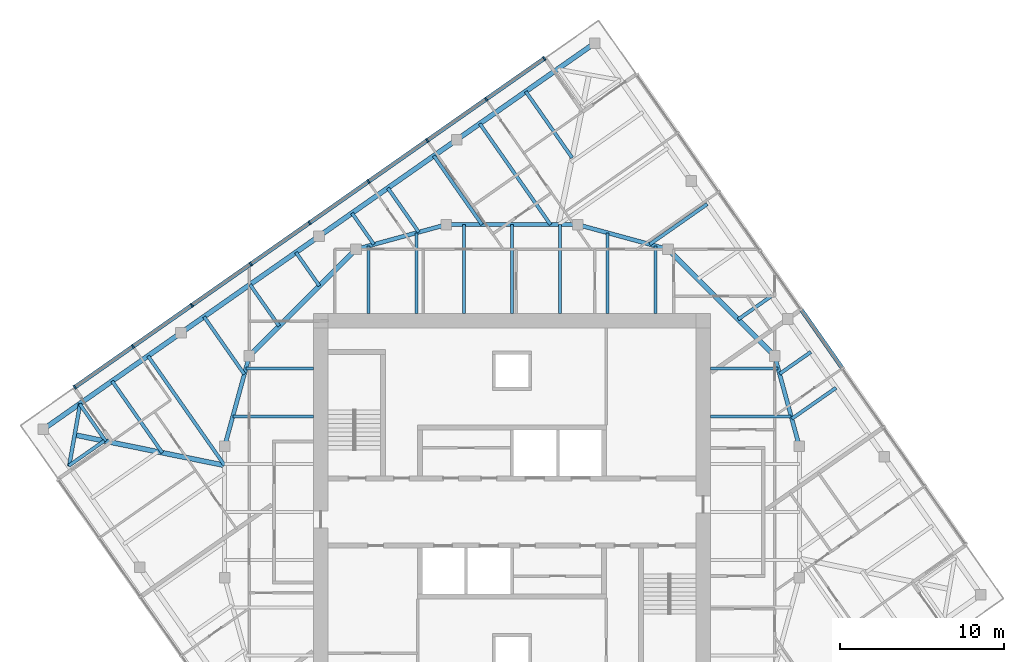
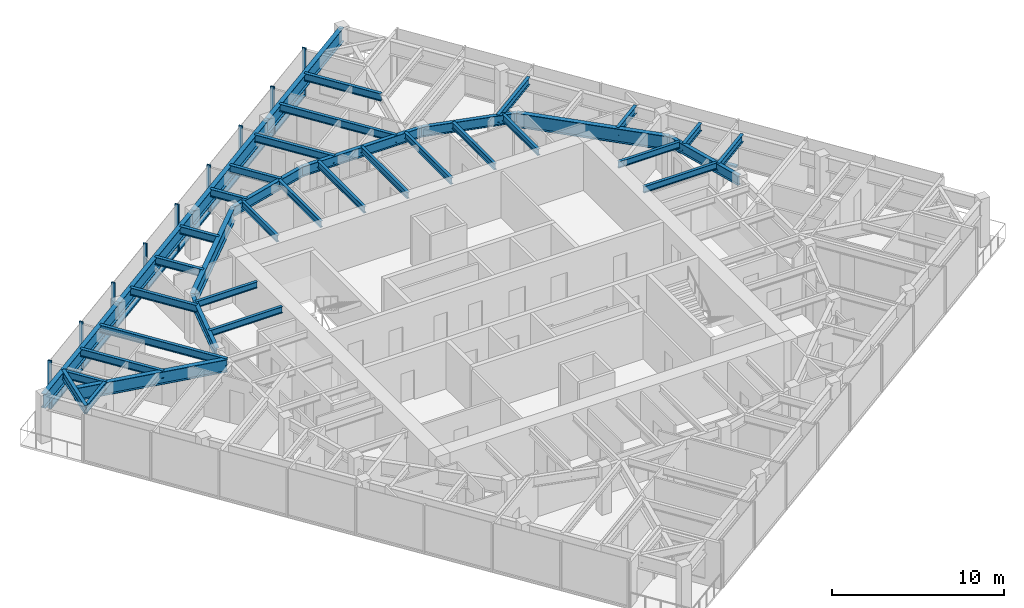
# One storey, part 4 of 12: 40 beams, 18 members, 2 elements without a shape of their own.
"""IFC4 building model written with IfcOpenShell, lengths in metres."""

from ifc_helpers import new_model, si_unit, direction, frame, origin, origin_2d, place, context, subcontext, project, spatial, rectangle, i_section, extrude, material, material_profile, profile_set, type_object, element, aggregate, save


model = new_model("IFC4")

# Units and contexts
model_context = context("Model", 3, precision=1e-05, world=origin(), true_north=direction((0.0, 1.0)))
body_context = subcontext(model_context, "Body", "Model", "MODEL_VIEW")
ifc_project = project(units=[si_unit("LENGTHUNIT", "METRE"), si_unit("AREAUNIT", "SQUARE_METRE"), si_unit("VOLUMEUNIT", "CUBIC_METRE"), si_unit("PLANEANGLEUNIT", "RADIAN"), si_unit("MASSUNIT", "GRAM", prefix="KILO")], contexts=[model_context])

# Site, building, storey
site_placement = place(None, origin())
site = spatial("IfcSite", under=ifc_project, at=site_placement, CompositionType="ELEMENT")
building_placement = place(site_placement, origin())
building = spatial("IfcBuilding", under=site, at=building_placement, Name="Torsade Residences", CompositionType="ELEMENT")
storey_placement = place(building_placement, frame((0.0, 0.0, 257.39990234375)))
storey = spatial("IfcBuildingStorey", under=building, at=storey_placement, Name="L71", CompositionType="ELEMENT", Elevation=257.39990234375)

# Beams
ifc_material_1 = material(Name="Steel grade 300", Category="steel")
ifc_material_profile_1 = material_profile(ifc_material_1, i_section(OverallWidth=0.300048828125, OverallDepth=0.89990234375, WebThickness=0.011962890625, FlangeThickness=0.02490234375, at=origin_2d()), Name="900WB175")
ifc_profile_set_1 = profile_set([ifc_material_profile_1], Name="Steel grade 300")
beam_type_1 = type_object("IfcBeamType", Name="CORNER GIRDER 900WB175", PredefinedType="BEAM", material=ifc_profile_set_1)
beam_1_placement = place(storey_placement, frame((13.364013671875, 34.696533203125, 2.800048828125), z_axis=(0.979880626756, -0.199584461589, 0.0), x_axis=(0.199584461589, 0.979880626756, 0.0)))
element("IfcBeam", 1, at=beam_1_placement, inside=storey, type_object=beam_type_1, Name="Corner girder 13 L72", PredefinedType="BEAM", context=body_context, shape_type="SweptSolid", body=[
    extrude(i_section(OverallWidth=0.300048828125, OverallDepth=0.89990234375, WebThickness=0.011962890625, FlangeThickness=0.02490234375, at=origin_2d()), origin(), (0.0, 0.0, 1.0), 9.323486328125),
])
ifc_material_2 = material(Name="Steel grade 300", Category="steel")
ifc_material_profile_2 = material_profile(ifc_material_2, i_section(OverallWidth=0.22802734375, OverallDepth=0.60205078125, WebThickness=0.010498046875, FlangeThickness=0.014892578125, FilletRadius=0.013916015625, at=origin_2d()), Name="610UB101")
ifc_profile_set_2 = profile_set([ifc_material_profile_2], Name="Steel grade 300")
beam_type_2 = type_object("IfcBeamType", Name="CORNER TRIMMER 610UB101", PredefinedType="BEAM", material=ifc_profile_set_2)
beam_2_placement = place(storey_placement, frame((13.0263671875, 32.78173828125, 2.94921875), z_axis=(0.173645660267, 0.984808196894, 0.0), x_axis=(-0.984808196894, 0.173645660267, 0.0)))
element("IfcBeam", 2, at=beam_2_placement, inside=storey, type_object=beam_type_2, Name="Corner trimmer 13 L72", PredefinedType="BEAM", context=body_context, shape_type="SweptSolid", body=[
    extrude(i_section(OverallWidth=0.22802734375, OverallDepth=0.60205078125, WebThickness=0.010498046875, FlangeThickness=0.014892578125, FilletRadius=0.013916015625, at=origin_2d()), origin(), (0.0, 0.0, 1.0), 3.888916015625),
])
ifc_material_3 = material(Name="Steel grade 300", Category="steel")
ifc_material_profile_3 = material_profile(ifc_material_3, i_section(OverallWidth=0.300048828125, OverallDepth=1.0, WebThickness=0.01611328125, FlangeThickness=0.028076171875, at=origin_2d()), Name="1000WB215")
ifc_profile_set_3 = profile_set([ifc_material_profile_3], Name="Steel grade 300")
beam_type_3 = type_object("IfcBeamType", Name="EDGE BEAM 1000WB215", PredefinedType="SPANDREL", material=ifc_profile_set_3)
for number, where, z_axis, x_axis, name in (
    (3, (45.0341796875, 58.551025390625, 2.75), (-0.819150225126, -0.573579034377, 0.0), (0.573579034377, -0.819150225126, 0.0), "Edge beam 09 L72"),
    (4, (36.637939453125, 52.671875, 2.75), (-0.819150225126, -0.573579034377, 0.0), (0.573579034377, -0.819150225126, 0.0), "Edge beam 10 L72"),
    (5, (28.24169921875, 46.792724609375, 2.75), (-0.819150225126, -0.573579034377, 0.0), (0.573579034377, -0.819150225126, 0.0), "Edge beam 11 L72"),
):
    element("IfcBeam", number, at=place(storey_placement, frame(where, z_axis=z_axis, x_axis=x_axis)), inside=storey, type_object=beam_type_3, Name=name, PredefinedType="SPANDREL", context=body_context, shape_type="SweptSolid", body=[
        extrude(i_section(OverallWidth=0.300048828125, OverallDepth=1.0, WebThickness=0.01611328125, FlangeThickness=0.028076171875, at=origin_2d()), origin(), (0.0, 0.0, 1.0), 10.25),
    ])
beam_3_placement = place(storey_placement, frame((19.845458984375, 40.91357421875, 2.75), z_axis=(-0.819146870247, -0.573583825578, 0.0), x_axis=(0.573583825578, -0.819146870247, 0.0)))
element("IfcBeam", 6, at=beam_3_placement, inside=storey, type_object=beam_type_3, Name="Edge beam 12 L72", PredefinedType="SPANDREL", context=body_context, shape_type="SweptSolid", body=[
    extrude(i_section(OverallWidth=0.300048828125, OverallDepth=1.0, WebThickness=0.01611328125, FlangeThickness=0.028076171875, at=origin_2d()), origin(), (0.0, 0.0, 1.0), 10.250244140625),
])

# Curtain wall, members
ifc_material_4 = material(Name="Aluminium and glass", Category="aluminium")
curtain_wall_type = type_object("IfcCurtainWallType", Name="FRITTED GLASS CURTAIN WALL HIGH ZONE", PredefinedType="NOTDEFINED", material=ifc_material_4)
curtain_wall_1_placement = place(storey_placement, origin())
curtain_wall_1 = element("IfcCurtainWall", 7, at=curtain_wall_1_placement, inside=storey, type_object=curtain_wall_type, Name="Curtain wall L71 face 7", PredefinedType="NOTDEFINED")
ifc_material_5 = material(Name="Aluminium mullion", Category="aluminium")
ifc_material_profile_4 = material_profile(ifc_material_5, rectangle(XDim=0.25, YDim=0.10009765625, at=origin_2d()), Name="HIGH ZONE CURTAIN WALL MULLION 250x100")
ifc_profile_set_4 = profile_set([ifc_material_profile_4], Name="Aluminium mullion")
member_type_1 = type_object("IfcMemberType", Name="HIGH ZONE CURTAIN WALL MULLION 250x100", PredefinedType="MULLION", material=ifc_profile_set_4)
member_1_placement = place(storey_placement, frame((41.96240234375, 57.62060546875, 0.0), z_axis=(0.0, 0.0, 1.0), x_axis=(0.573576457682, -0.819152029353, 0.0)))
member_1 = element("IfcMember", 8, at=member_1_placement, type_object=member_type_1, Name="Mullion 1", PredefinedType="MULLION", context=body_context, shape_type="SweptSolid", body=[
    extrude(rectangle(XDim=0.25, YDim=0.10009765625, at=origin_2d()), origin(), (0.0, 0.0, 1.0), 3.400146484375),
])
member_2_placement = place(storey_placement, frame((38.41943359375, 55.139892578125, 0.0), z_axis=(0.0, 0.0, 1.0), x_axis=(0.573576457682, -0.819152029353, 0.0)))
member_2 = element("IfcMember", 9, at=member_2_placement, type_object=member_type_1, Name="Mullion 2", PredefinedType="MULLION", context=body_context, shape_type="SweptSolid", body=[
    extrude(rectangle(XDim=0.25, YDim=0.10009765625, at=origin_2d()), origin(), (0.0, 0.0, 1.0), 3.400146484375),
])
member_3_placement = place(storey_placement, frame((34.835693359375, 52.630615234375, 0.0), z_axis=(0.0, 0.0, 1.0), x_axis=(0.573576457682, -0.819152029353, 0.0)))
member_3 = element("IfcMember", 10, at=member_3_placement, type_object=member_type_1, Name="Mullion 3", PredefinedType="MULLION", context=body_context, shape_type="SweptSolid", body=[
    extrude(rectangle(XDim=0.25, YDim=0.10009765625, at=origin_2d()), origin(), (0.0, 0.0, 1.0), 3.400146484375),
])
member_4_placement = place(storey_placement, frame((31.251953125, 50.12109375, 0.0), z_axis=(0.0, 0.0, 1.0), x_axis=(0.573576457682, -0.819152029353, 0.0)))
member_4 = element("IfcMember", 11, at=member_4_placement, type_object=member_type_1, Name="Mullion 4", PredefinedType="MULLION", context=body_context, shape_type="SweptSolid", body=[
    extrude(rectangle(XDim=0.25, YDim=0.10009765625, at=origin_2d()), origin(), (0.0, 0.0, 1.0), 3.400146484375),
])
member_5_placement = place(storey_placement, frame((27.668212890625, 47.61181640625, 0.0), z_axis=(0.0, 0.0, 1.0), x_axis=(0.573576457682, -0.819152029353, 0.0)))
member_5 = element("IfcMember", 12, at=member_5_placement, type_object=member_type_1, Name="Mullion 5", PredefinedType="MULLION", context=body_context, shape_type="SweptSolid", body=[
    extrude(rectangle(XDim=0.25, YDim=0.10009765625, at=origin_2d()), origin(), (0.0, 0.0, 1.0), 3.400146484375),
])
member_6_placement = place(storey_placement, frame((24.084228515625, 45.102294921875, 0.0), z_axis=(0.0, 0.0, 1.0), x_axis=(0.573576457682, -0.819152029353, 0.0)))
member_6 = element("IfcMember", 13, at=member_6_placement, type_object=member_type_1, Name="Mullion 6", PredefinedType="MULLION", context=body_context, shape_type="SweptSolid", body=[
    extrude(rectangle(XDim=0.25, YDim=0.10009765625, at=origin_2d()), origin(), (0.0, 0.0, 1.0), 3.400146484375),
])
member_7_placement = place(storey_placement, frame((20.50048828125, 42.593017578125, 0.0), z_axis=(0.0, 0.0, 1.0), x_axis=(0.573576457682, -0.819152029353, 0.0)))
member_7 = element("IfcMember", 14, at=member_7_placement, type_object=member_type_1, Name="Mullion 7", PredefinedType="MULLION", context=body_context, shape_type="SweptSolid", body=[
    extrude(rectangle(XDim=0.25, YDim=0.10009765625, at=origin_2d()), origin(), (0.0, 0.0, 1.0), 3.400146484375),
])
member_8_placement = place(storey_placement, frame((16.916748046875, 40.08349609375, 0.0), z_axis=(0.0, 0.0, 1.0), x_axis=(0.573576457682, -0.819152029353, 0.0)))
member_8 = element("IfcMember", 15, at=member_8_placement, type_object=member_type_1, Name="Mullion 8", PredefinedType="MULLION", context=body_context, shape_type="SweptSolid", body=[
    extrude(rectangle(XDim=0.25, YDim=0.10009765625, at=origin_2d()), origin(), (0.0, 0.0, 1.0), 3.400146484375),
])
member_9_placement = place(storey_placement, frame((13.3740234375, 37.602783203125, 0.0), z_axis=(0.0, 0.0, 1.0), x_axis=(0.573576457682, -0.819152029353, 0.0)))
member_9 = element("IfcMember", 16, at=member_9_placement, type_object=member_type_1, Name="Mullion 9", PredefinedType="MULLION", context=body_context, shape_type="SweptSolid", body=[
    extrude(rectangle(XDim=0.25, YDim=0.10009765625, at=origin_2d()), origin(), (0.0, 0.0, 1.0), 3.400146484375),
])

# Curtain wall, member
curtain_wall_2_placement = place(storey_placement, origin())
curtain_wall_2 = element("IfcCurtainWall", 17, at=curtain_wall_2_placement, inside=storey, type_object=curtain_wall_type, Name="Curtain wall L71 face 4", PredefinedType="NOTDEFINED")
ifc_material_6 = material(Name="Aluminium transom", Category="aluminium")
ifc_material_profile_5 = material_profile(ifc_material_6, rectangle(XDim=0.25, YDim=0.1201171875, at=origin_2d()), Name="HIGH ZONE CURTAIN WALL TRANSOM 250x120")
ifc_profile_set_5 = profile_set([ifc_material_profile_5], Name="Aluminium transom")
member_type_2 = type_object("IfcMemberType", Name="HIGH ZONE CURTAIN WALL TRANSOM 250x120", PredefinedType="USERDEFINED", material=ifc_profile_set_5)
member_10_placement = place(storey_placement, frame((60.092529296875, 38.7890625, 0.06005859375), z_axis=(-0.57358498433, 0.819146058863, 0.0), x_axis=(-0.819146058863, -0.57358498433, 0.0)))
member_10 = element("IfcMember", 18, at=member_10_placement, type_object=member_type_2, Name="Transom 4.1", ObjectType="TRANSOM", PredefinedType="USERDEFINED", context=body_context, shape_type="SweptSolid", body=[
    extrude(rectangle(XDim=0.25, YDim=0.1201171875, at=origin_2d()), origin(), (0.0, 0.0, 1.0), 4.275146484375),
])
aggregate(curtain_wall_2, [member_10])

# Member
member_11_placement = place(storey_placement, frame((41.92138671875, 57.592041015625, 0.06005859375), z_axis=(-0.819155901234, -0.573570928023, 0.0), x_axis=(0.573570928023, -0.819155901234, 0.0)))
member_11 = element("IfcMember", 19, at=member_11_placement, type_object=member_type_2, Name="Transom 1.1", ObjectType="TRANSOM", PredefinedType="USERDEFINED", context=body_context, shape_type="SweptSolid", body=[
    extrude(rectangle(XDim=0.25, YDim=0.1201171875, at=origin_2d()), origin(), (0.0, 0.0, 1.0), 4.22509765625),
])

member_12_placement = place(storey_placement, frame((38.37841796875, 55.111328125, 0.06005859375), z_axis=(-0.819127269283, -0.573611817101, 0.0), x_axis=(0.573611817101, -0.819127269283, 0.0)))
member_12 = element("IfcMember", 20, at=member_12_placement, type_object=member_type_2, Name="Transom 2.1", ObjectType="TRANSOM", PredefinedType="USERDEFINED", context=body_context, shape_type="SweptSolid", body=[
    extrude(rectangle(XDim=0.25, YDim=0.1201171875, at=origin_2d()), origin(), (0.0, 0.0, 1.0), 4.27490234375),
])

member_13_placement = place(storey_placement, frame((34.794677734375, 52.601806640625, 0.06005859375), z_axis=(-0.819154102984, -0.573573496219, 0.0), x_axis=(0.573573496219, -0.819154102984, 0.0)))
member_13 = element("IfcMember", 21, at=member_13_placement, type_object=member_type_2, Name="Transom 3.1", ObjectType="TRANSOM", PredefinedType="USERDEFINED", context=body_context, shape_type="SweptSolid", body=[
    extrude(rectangle(XDim=0.25, YDim=0.1201171875, at=origin_2d()), origin(), (0.0, 0.0, 1.0), 4.27490234375),
])

member_14_placement = place(storey_placement, frame((31.2109375, 50.092529296875, 0.06005859375), z_axis=(-0.819146058863, -0.57358498433, 0.0), x_axis=(0.57358498433, -0.819146058863, 0.0)))
member_14 = element("IfcMember", 22, at=member_14_placement, type_object=member_type_2, Name="Transom 4.1", ObjectType="TRANSOM", PredefinedType="USERDEFINED", context=body_context, shape_type="SweptSolid", body=[
    extrude(rectangle(XDim=0.25, YDim=0.1201171875, at=origin_2d()), origin(), (0.0, 0.0, 1.0), 4.275146484375),
])

member_15_placement = place(storey_placement, frame((27.627197265625, 47.5830078125, 0.06005859375), z_axis=(-0.81917289067, -0.573546663483, 0.0), x_axis=(0.573546663483, -0.81917289067, 0.0)))
member_15 = element("IfcMember", 23, at=member_15_placement, type_object=member_type_2, Name="Transom 5.1", ObjectType="TRANSOM", PredefinedType="USERDEFINED", context=body_context, shape_type="SweptSolid", body=[
    extrude(rectangle(XDim=0.25, YDim=0.1201171875, at=origin_2d()), origin(), (0.0, 0.0, 1.0), 4.27490234375),
])

member_16_placement = place(storey_placement, frame((24.04345703125, 45.07373046875, 0.06005859375), z_axis=(-0.819146058863, -0.57358498433, 0.0), x_axis=(0.57358498433, -0.819146058863, 0.0)))
member_16 = element("IfcMember", 24, at=member_16_placement, type_object=member_type_2, Name="Transom 6.1", ObjectType="TRANSOM", PredefinedType="USERDEFINED", context=body_context, shape_type="SweptSolid", body=[
    extrude(rectangle(XDim=0.25, YDim=0.1201171875, at=origin_2d()), origin(), (0.0, 0.0, 1.0), 4.275146484375),
])

member_17_placement = place(storey_placement, frame((20.45947265625, 42.564208984375, 0.06005859375), z_axis=(-0.819154102984, -0.573573496219, 0.0), x_axis=(0.573573496219, -0.819154102984, 0.0)))
member_17 = element("IfcMember", 25, at=member_17_placement, type_object=member_type_2, Name="Transom 7.1", ObjectType="TRANSOM", PredefinedType="USERDEFINED", context=body_context, shape_type="SweptSolid", body=[
    extrude(rectangle(XDim=0.25, YDim=0.1201171875, at=origin_2d()), origin(), (0.0, 0.0, 1.0), 4.27490234375),
])

member_18_placement = place(storey_placement, frame((16.875732421875, 40.054931640625, 0.06005859375), z_axis=(-0.819155901234, -0.573570928023, 0.0), x_axis=(0.573570928023, -0.819155901234, 0.0)))
member_18 = element("IfcMember", 26, at=member_18_placement, type_object=member_type_2, Name="Transom 8.1", ObjectType="TRANSOM", PredefinedType="USERDEFINED", context=body_context, shape_type="SweptSolid", body=[
    extrude(rectangle(XDim=0.25, YDim=0.1201171875, at=origin_2d()), origin(), (0.0, 0.0, 1.0), 4.22509765625),
])

aggregate(curtain_wall_1, [member_1, member_2, member_3, member_4, member_5, member_6, member_7, member_8, member_9, member_11, member_12, member_13, member_14, member_15, member_16, member_17, member_18])

# Beams
ifc_material_7 = material(Name="Steel grade 300", Category="steel")
ifc_material_profile_6 = material_profile(ifc_material_7, i_section(OverallWidth=0.18994140625, OverallDepth=0.4541015625, WebThickness=0.008544921875, FlangeThickness=0.0126953125, FilletRadius=0.011474609375, at=origin_2d()), Name="460UB67.1")
ifc_profile_set_6 = profile_set([ifc_material_profile_6], Name="Steel grade 300")
beam_type_4 = type_object("IfcBeamType", Name="INNER FLOOR BEAM 460UB67.1", PredefinedType="JOIST", material=ifc_profile_set_6)
beam_4_placement = place(storey_placement, frame((31.262451171875, 42.10009765625, 3.023193359375), z_axis=(0.0, 1.0, 0.0), x_axis=(-1.0, 0.0, 0.0)))
element("IfcBeam", 27, at=beam_4_placement, inside=storey, type_object=beam_type_4, Name="Inner floor beam IN01 L72", PredefinedType="JOIST", context=body_context, shape_type="SweptSolid", body=[
    extrude(i_section(OverallWidth=0.18994140625, OverallDepth=0.4541015625, WebThickness=0.008544921875, FlangeThickness=0.0126953125, FilletRadius=0.011474609375, at=origin_2d()), origin(), (0.0, 0.0, 1.0), 4.10791015625),
])
beam_5_placement = place(storey_placement, frame((34.175048828125, 42.10009765625, 3.023193359375), z_axis=(0.0, 1.0, 0.0), x_axis=(-1.0, 0.0, 0.0)))
element("IfcBeam", 28, at=beam_5_placement, inside=storey, type_object=beam_type_4, Name="Inner floor beam IN02 L72", PredefinedType="JOIST", context=body_context, shape_type="SweptSolid", body=[
    extrude(i_section(OverallWidth=0.18994140625, OverallDepth=0.4541015625, WebThickness=0.008544921875, FlangeThickness=0.0126953125, FilletRadius=0.011474609375, at=origin_2d()), origin(), (0.0, 0.0, 1.0), 4.902099609375),
])
for number, where, z_axis, x_axis, name in (
    (29, (37.08740234375, 42.10009765625, 3.023193359375), (0.0, 1.0, 0.0), (-1.0, 0.0, 0.0), "Inner floor beam IN03 L72"),
    (30, (40.0, 42.10009765625, 3.023193359375), (0.0, 1.0, 0.0), (-1.0, 0.0, 0.0), "Inner floor beam IN04 L72"),
    (31, (42.91259765625, 42.10009765625, 3.023193359375), (0.0, 1.0, 0.0), (-1.0, 0.0, 0.0), "Inner floor beam IN05 L72"),
):
    element("IfcBeam", number, at=place(storey_placement, frame(where, z_axis=z_axis, x_axis=x_axis)), inside=storey, type_object=beam_type_4, Name=name, PredefinedType="JOIST", context=body_context, shape_type="SweptSolid", body=[
        extrude(i_section(OverallWidth=0.18994140625, OverallDepth=0.4541015625, WebThickness=0.008544921875, FlangeThickness=0.0126953125, FilletRadius=0.011474609375, at=origin_2d()), origin(), (0.0, 0.0, 1.0), 5.39990234375),
    ])
beam_6_placement = place(storey_placement, frame((45.824951171875, 42.10009765625, 3.023193359375), z_axis=(0.0, 1.0, 0.0), x_axis=(-1.0, 0.0, 0.0)))
element("IfcBeam", 32, at=beam_6_placement, inside=storey, type_object=beam_type_4, Name="Inner floor beam IN06 L72", PredefinedType="JOIST", context=body_context, shape_type="SweptSolid", body=[
    extrude(i_section(OverallWidth=0.18994140625, OverallDepth=0.4541015625, WebThickness=0.008544921875, FlangeThickness=0.0126953125, FilletRadius=0.011474609375, at=origin_2d()), origin(), (0.0, 0.0, 1.0), 4.902099609375),
])
beam_7_placement = place(storey_placement, frame((48.737548828125, 42.10009765625, 3.023193359375), z_axis=(0.0, 1.0, 0.0), x_axis=(-1.0, 0.0, 0.0)))
element("IfcBeam", 33, at=beam_7_placement, inside=storey, type_object=beam_type_4, Name="Inner floor beam IN07 L72", PredefinedType="JOIST", context=body_context, shape_type="SweptSolid", body=[
    extrude(i_section(OverallWidth=0.18994140625, OverallDepth=0.4541015625, WebThickness=0.008544921875, FlangeThickness=0.0126953125, FilletRadius=0.011474609375, at=origin_2d()), origin(), (0.0, 0.0, 1.0), 4.10791015625),
])
beam_8_placement = place(storey_placement, frame((52.10009765625, 35.824951171875, 3.023193359375), z_axis=(1.0, 0.0, 0.0), x_axis=(0.0, 1.0, 0.0)))
element("IfcBeam", 34, at=beam_8_placement, inside=storey, type_object=beam_type_4, Name="Inner floor beam IE06 L72", PredefinedType="JOIST", context=body_context, shape_type="SweptSolid", body=[
    extrude(i_section(OverallWidth=0.18994140625, OverallDepth=0.4541015625, WebThickness=0.008544921875, FlangeThickness=0.0126953125, FilletRadius=0.011474609375, at=origin_2d()), origin(), (0.0, 0.0, 1.0), 4.902099609375),
])
for number, where, z_axis, x_axis, name in (
    (35, (52.10009765625, 38.737548828125, 3.023193359375), (1.0, 0.0, 0.0), (0.0, 1.0, 0.0), "Inner floor beam IE07 L72"),
    (36, (27.89990234375, 38.737548828125, 3.023193359375), (-1.0, 0.0, 0.0), (0.0, -1.0, 0.0), "Inner floor beam IW01 L72"),
):
    element("IfcBeam", number, at=place(storey_placement, frame(where, z_axis=z_axis, x_axis=x_axis)), inside=storey, type_object=beam_type_4, Name=name, PredefinedType="JOIST", context=body_context, shape_type="SweptSolid", body=[
        extrude(i_section(OverallWidth=0.18994140625, OverallDepth=0.4541015625, WebThickness=0.008544921875, FlangeThickness=0.0126953125, FilletRadius=0.011474609375, at=origin_2d()), origin(), (0.0, 0.0, 1.0), 4.10791015625),
    ])
beam_9_placement = place(storey_placement, frame((27.89990234375, 35.824951171875, 3.023193359375), z_axis=(-1.0, 0.0, 0.0), x_axis=(0.0, -1.0, 0.0)))
element("IfcBeam", 37, at=beam_9_placement, inside=storey, type_object=beam_type_4, Name="Inner floor beam IW02 L72", PredefinedType="JOIST", context=body_context, shape_type="SweptSolid", body=[
    extrude(i_section(OverallWidth=0.18994140625, OverallDepth=0.4541015625, WebThickness=0.008544921875, FlangeThickness=0.0126953125, FilletRadius=0.011474609375, at=origin_2d()), origin(), (0.0, 0.0, 1.0), 4.902099609375),
])
ifc_material_8 = material(Name="Steel grade 300", Category="steel")
ifc_material_profile_7 = material_profile(ifc_material_8, i_section(OverallWidth=0.300048828125, OverallDepth=1.0, WebThickness=0.01611328125, FlangeThickness=0.028076171875, at=origin_2d()), Name="1000WB215")
ifc_profile_set_7 = profile_set([ifc_material_profile_7], Name="Steel grade 300")
beam_type_5 = type_object("IfcBeamType", Name="RING CORNER GIRDER 1000WB215", PredefinedType="BEAM", material=ifc_profile_set_7)
for number, where, z_axis, x_axis, name in (
    (38, (56.0, 39.5, 2.75), (-0.707106781187, 0.707106781187, 0.0), (-0.707106781187, -0.707106781187, 0.0), "Ring girder IR03 L72"),
    (39, (30.5, 46.0, 2.75), (-0.707106781187, -0.707106781187, 0.0), (0.707106781187, -0.707106781187, 0.0), "Ring girder IR07 L72"),
):
    element("IfcBeam", number, at=place(storey_placement, frame(where, z_axis=z_axis, x_axis=x_axis)), inside=storey, type_object=beam_type_5, Name=name, PredefinedType="BEAM", context=body_context, shape_type="SweptSolid", body=[
        extrude(i_section(OverallWidth=0.300048828125, OverallDepth=1.0, WebThickness=0.01611328125, FlangeThickness=0.028076171875, at=origin_2d()), origin(), (0.0, 0.0, 1.0), 9.1923828125),
    ])
ifc_material_9 = material(Name="Steel grade 300", Category="steel")
ifc_material_profile_8 = material_profile(ifc_material_9, i_section(OverallWidth=0.25, OverallDepth=0.699951171875, WebThickness=0.010009765625, FlangeThickness=0.02001953125, at=origin_2d()), Name="700WB130")
ifc_profile_set_8 = profile_set([ifc_material_profile_8], Name="Steel grade 300")
beam_type_6 = type_object("IfcBeamType", Name="RING GIRDER 700WB130", PredefinedType="BEAM", material=ifc_profile_set_8)
for number, where, z_axis, x_axis, name in (
    (40, (57.5, 34.0, 2.900146484375), (-0.263117405792, 0.964763821238, 0.0), (-0.964763821238, -0.263117405792, 0.0), "Ring girder IR02 L72"),
    (41, (49.5, 46.0, 2.900146484375), (-0.964763821238, 0.263117405792, 0.0), (-0.263117405792, -0.964763821238, 0.0), "Ring girder IR04 L72"),
):
    element("IfcBeam", number, at=place(storey_placement, frame(where, z_axis=z_axis, x_axis=x_axis)), inside=storey, type_object=beam_type_6, Name=name, PredefinedType="BEAM", context=body_context, shape_type="SweptSolid", body=[
        extrude(i_section(OverallWidth=0.25, OverallDepth=0.699951171875, WebThickness=0.010009765625, FlangeThickness=0.02001953125, at=origin_2d()), origin(), (0.0, 0.0, 1.0), 5.700927734375),
    ])
beam_10_placement = place(storey_placement, frame((44.0, 47.5, 2.900146484375), z_axis=(-1.0, 0.0, 0.0), x_axis=(0.0, -1.0, 0.0)))
element("IfcBeam", 42, at=beam_10_placement, inside=storey, type_object=beam_type_6, Name="Ring girder IR05 L72", PredefinedType="BEAM", context=body_context, shape_type="SweptSolid", body=[
    extrude(i_section(OverallWidth=0.25, OverallDepth=0.699951171875, WebThickness=0.010009765625, FlangeThickness=0.02001953125, at=origin_2d()), origin(), (0.0, 0.0, 1.0), 8.0),
])
for number, where, z_axis, x_axis, name in (
    (43, (36.0, 47.5, 2.900146484375), (-0.964763821238, -0.263117405792, 0.0), (0.263117405792, -0.964763821238, 0.0), "Ring girder IR06 L72"),
    (44, (24.0, 39.5, 2.900146484375), (-0.263117405792, -0.964763821238, 0.0), (0.964763821238, -0.263117405792, 0.0), "Ring girder IR08 L72"),
):
    element("IfcBeam", number, at=place(storey_placement, frame(where, z_axis=z_axis, x_axis=x_axis)), inside=storey, type_object=beam_type_6, Name=name, PredefinedType="BEAM", context=body_context, shape_type="SweptSolid", body=[
        extrude(i_section(OverallWidth=0.25, OverallDepth=0.699951171875, WebThickness=0.010009765625, FlangeThickness=0.02001953125, at=origin_2d()), origin(), (0.0, 0.0, 1.0), 5.700927734375),
    ])
ifc_material_10 = material(Name="Steel grade 300", Category="steel")
ifc_material_profile_9 = material_profile(ifc_material_10, i_section(OverallWidth=0.208984375, OverallDepth=0.532958984375, WebThickness=0.01025390625, FlangeThickness=0.015625, FilletRadius=0.013916015625, at=origin_2d()), Name="530UB92.4")
ifc_profile_set_9 = profile_set([ifc_material_profile_9], Name="Steel grade 300")
beam_type_7 = type_object("IfcBeamType", Name="SECONDARY BEAM 530UB92.4", PredefinedType="JOIST", material=ifc_profile_set_9)
beam_11_placement = place(storey_placement, frame((59.732177734375, 37.56005859375, 2.983642578125), z_axis=(-0.819169032504, -0.573552173902, 0.0), x_axis=(0.573552173902, -0.819169032504, 0.0)))
element("IfcBeam", 45, at=beam_11_placement, inside=storey, type_object=beam_type_7, Name="Floor beam FE05 L72", PredefinedType="JOIST", context=body_context, shape_type="SweptSolid", body=[
    extrude(i_section(OverallWidth=0.208984375, OverallDepth=0.532958984375, WebThickness=0.01025390625, FlangeThickness=0.015625, FilletRadius=0.013916015625, at=origin_2d()), origin(), (0.0, 0.0, 1.0), 3.283203125),
])
beam_12_placement = place(storey_placement, frame((58.20263671875, 39.74462890625, 2.983642578125), z_axis=(-0.819157953557, -0.573567996949, 0.0), x_axis=(0.573567996949, -0.819157953557, 0.0)))
element("IfcBeam", 46, at=beam_12_placement, inside=storey, type_object=beam_type_7, Name="Floor beam FE06 L72", PredefinedType="JOIST", context=body_context, shape_type="SweptSolid", body=[
    extrude(i_section(OverallWidth=0.208984375, OverallDepth=0.532958984375, WebThickness=0.01025390625, FlangeThickness=0.015625, FilletRadius=0.013916015625, at=origin_2d()), origin(), (0.0, 0.0, 1.0), 2.326171875),
])
beam_13_placement = place(storey_placement, frame((55.812744140625, 43.15771484375, 2.983642578125), z_axis=(-0.819172078752, -0.573547823109, 0.0), x_axis=(0.573547823109, -0.819172078752, 0.0)))
element("IfcBeam", 47, at=beam_13_placement, inside=storey, type_object=beam_type_7, Name="Floor beam FE07 L72", PredefinedType="JOIST", context=body_context, shape_type="SweptSolid", body=[
    extrude(i_section(OverallWidth=0.208984375, OverallDepth=0.532958984375, WebThickness=0.01025390625, FlangeThickness=0.015625, FilletRadius=0.013916015625, at=origin_2d()), origin(), (0.0, 0.0, 1.0), 2.491943359375),
])
beam_14_placement = place(storey_placement, frame((51.893310546875, 48.755126953125, 2.983642578125), z_axis=(-0.819148759439, -0.573581127575, 0.0), x_axis=(0.573581127575, -0.819148759439, 0.0)))
element("IfcBeam", 48, at=beam_14_placement, inside=storey, type_object=beam_type_7, Name="Floor beam FE09 L72", PredefinedType="JOIST", context=body_context, shape_type="SweptSolid", body=[
    extrude(i_section(OverallWidth=0.208984375, OverallDepth=0.532958984375, WebThickness=0.01025390625, FlangeThickness=0.015625, FilletRadius=0.013916015625, at=origin_2d()), origin(), (0.0, 0.0, 1.0), 4.276123046875),
])
beam_15_placement = place(storey_placement, frame((40.836181640625, 55.611328125, 2.983642578125), z_axis=(0.573575295634, -0.819152843027, 0.0), x_axis=(0.819152843027, 0.573575295634, 0.0)))
element("IfcBeam", 49, at=beam_15_placement, inside=storey, type_object=beam_type_7, Name="Floor beam FN02 L72", PredefinedType="JOIST", context=body_context, shape_type="SweptSolid", body=[
    extrude(i_section(OverallWidth=0.208984375, OverallDepth=0.532958984375, WebThickness=0.01025390625, FlangeThickness=0.015625, FilletRadius=0.013916015625, at=origin_2d()), origin(), (0.0, 0.0, 1.0), 4.931884765625),
])
beam_16_placement = place(storey_placement, frame((38.037353515625, 53.651611328125, 2.983642578125), z_axis=(0.573573614851, -0.819154019917, 0.0), x_axis=(0.819154019917, 0.573573614851, 0.0)))
element("IfcBeam", 50, at=beam_16_placement, inside=storey, type_object=beam_type_7, Name="Floor beam FN03 L72", PredefinedType="JOIST", context=body_context, shape_type="SweptSolid", body=[
    extrude(i_section(OverallWidth=0.208984375, OverallDepth=0.532958984375, WebThickness=0.01025390625, FlangeThickness=0.015625, FilletRadius=0.013916015625, at=origin_2d()), origin(), (0.0, 0.0, 1.0), 7.509765625),
])
beam_17_placement = place(storey_placement, frame((35.238525390625, 51.69189453125, 2.983642578125), z_axis=(0.573590411882, -0.819142258339, 0.0), x_axis=(0.819142258339, 0.573590411882, 0.0)))
element("IfcBeam", 51, at=beam_17_placement, inside=storey, type_object=beam_type_7, Name="Floor beam FN04 L72", PredefinedType="JOIST", context=body_context, shape_type="SweptSolid", body=[
    extrude(i_section(OverallWidth=0.208984375, OverallDepth=0.532958984375, WebThickness=0.01025390625, FlangeThickness=0.015625, FilletRadius=0.013916015625, at=origin_2d()), origin(), (0.0, 0.0, 1.0), 5.117431640625),
])
beam_18_placement = place(storey_placement, frame((32.43994140625, 49.732177734375, 2.983642578125), z_axis=(0.573552173902, -0.819169032504, 0.0), x_axis=(0.819169032504, 0.573552173902, 0.0)))
element("IfcBeam", 52, at=beam_18_placement, inside=storey, type_object=beam_type_7, Name="Floor beam FN05 L72", PredefinedType="JOIST", context=body_context, shape_type="SweptSolid", body=[
    extrude(i_section(OverallWidth=0.208984375, OverallDepth=0.532958984375, WebThickness=0.01025390625, FlangeThickness=0.015625, FilletRadius=0.013916015625, at=origin_2d()), origin(), (0.0, 0.0, 1.0), 3.283203125),
])
beam_19_placement = place(storey_placement, frame((30.25537109375, 48.20263671875, 2.983642578125), z_axis=(0.573567996949, -0.819157953557, 0.0), x_axis=(0.819157953557, 0.573567996949, 0.0)))
element("IfcBeam", 53, at=beam_19_placement, inside=storey, type_object=beam_type_7, Name="Floor beam FN06 L72", PredefinedType="JOIST", context=body_context, shape_type="SweptSolid", body=[
    extrude(i_section(OverallWidth=0.208984375, OverallDepth=0.532958984375, WebThickness=0.01025390625, FlangeThickness=0.015625, FilletRadius=0.013916015625, at=origin_2d()), origin(), (0.0, 0.0, 1.0), 2.326171875),
])
beam_20_placement = place(storey_placement, frame((26.84228515625, 45.812744140625, 2.983642578125), z_axis=(0.573547823109, -0.819172078752, 0.0), x_axis=(0.819172078752, 0.573547823109, 0.0)))
element("IfcBeam", 54, at=beam_20_placement, inside=storey, type_object=beam_type_7, Name="Floor beam FN07 L72", PredefinedType="JOIST", context=body_context, shape_type="SweptSolid", body=[
    extrude(i_section(OverallWidth=0.208984375, OverallDepth=0.532958984375, WebThickness=0.01025390625, FlangeThickness=0.015625, FilletRadius=0.013916015625, at=origin_2d()), origin(), (0.0, 0.0, 1.0), 2.491943359375),
])
beam_21_placement = place(storey_placement, frame((24.04345703125, 43.85302734375, 2.983642578125), z_axis=(0.573600013401, -0.819135534955, 0.0), x_axis=(0.819135534955, 0.573600013401, 0.0)))
element("IfcBeam", 55, at=beam_21_placement, inside=storey, type_object=beam_type_7, Name="Floor beam FN08 L72", PredefinedType="JOIST", context=body_context, shape_type="SweptSolid", body=[
    extrude(i_section(OverallWidth=0.208984375, OverallDepth=0.532958984375, WebThickness=0.01025390625, FlangeThickness=0.015625, FilletRadius=0.013916015625, at=origin_2d()), origin(), (0.0, 0.0, 1.0), 3.09423828125),
])
beam_22_placement = place(storey_placement, frame((21.244873046875, 41.893310546875, 2.983642578125), z_axis=(0.573581127575, -0.819148759439, 0.0), x_axis=(0.819148759439, 0.573581127575, 0.0)))
element("IfcBeam", 56, at=beam_22_placement, inside=storey, type_object=beam_type_7, Name="Floor beam FN09 L72", PredefinedType="JOIST", context=body_context, shape_type="SweptSolid", body=[
    extrude(i_section(OverallWidth=0.208984375, OverallDepth=0.532958984375, WebThickness=0.01025390625, FlangeThickness=0.015625, FilletRadius=0.013916015625, at=origin_2d()), origin(), (0.0, 0.0, 1.0), 4.276123046875),
])
beam_23_placement = place(storey_placement, frame((17.83154296875, 39.50341796875, 2.983642578125), z_axis=(0.573577087251, -0.819151588523, 0.0), x_axis=(0.819151588523, 0.573577087251, 0.0)))
element("IfcBeam", 57, at=beam_23_placement, inside=storey, type_object=beam_type_7, Name="Floor beam FN10 L72", PredefinedType="JOIST", context=body_context, shape_type="SweptSolid", body=[
    extrude(i_section(OverallWidth=0.208984375, OverallDepth=0.532958984375, WebThickness=0.01025390625, FlangeThickness=0.015625, FilletRadius=0.013916015625, at=origin_2d()), origin(), (0.0, 0.0, 1.0), 8.13916015625),
])
beam_24_placement = place(storey_placement, frame((15.647216796875, 37.973876953125, 2.983642578125), z_axis=(0.573597638513, -0.819137197966, 0.0), x_axis=(0.819137197966, 0.573597638513, 0.0)))
element("IfcBeam", 58, at=beam_24_placement, inside=storey, type_object=beam_type_7, Name="Floor beam FN11 L72", PredefinedType="JOIST", context=body_context, shape_type="SweptSolid", body=[
    extrude(i_section(OverallWidth=0.208984375, OverallDepth=0.532958984375, WebThickness=0.01025390625, FlangeThickness=0.015625, FilletRadius=0.013916015625, at=origin_2d()), origin(), (0.0, 0.0, 1.0), 5.328369140625),
])
beam_25_placement = place(storey_placement, frame((13.667724609375, 36.587646484375, 2.983642578125), z_axis=(0.573521270253, -0.819190669238, 0.0), x_axis=(0.819190669238, 0.573521270253, 0.0)))
element("IfcBeam", 59, at=beam_25_placement, inside=storey, type_object=beam_type_7, Name="Floor beam FN12 L72", PredefinedType="JOIST", context=body_context, shape_type="SweptSolid", body=[
    extrude(i_section(OverallWidth=0.208984375, OverallDepth=0.532958984375, WebThickness=0.01025390625, FlangeThickness=0.015625, FilletRadius=0.013916015625, at=origin_2d()), origin(), (0.0, 0.0, 1.0), 2.780517578125),
])
beam_26_placement = place(storey_placement, frame((13.00244140625, 32.815673828125, 2.983642578125), z_axis=(0.819140666445, 0.573592685254, 0.0), x_axis=(-0.573592685254, 0.819140666445, 0.0)))
element("IfcBeam", 60, at=beam_26_placement, inside=storey, type_object=beam_type_7, Name="Floor beam FW01 L72", PredefinedType="JOIST", context=body_context, shape_type="SweptSolid", body=[
    extrude(i_section(OverallWidth=0.208984375, OverallDepth=0.532958984375, WebThickness=0.01025390625, FlangeThickness=0.015625, FilletRadius=0.013916015625, at=origin_2d()), origin(), (0.0, 0.0, 1.0), 2.639892578125),
])

save(model, "model.ifc")
